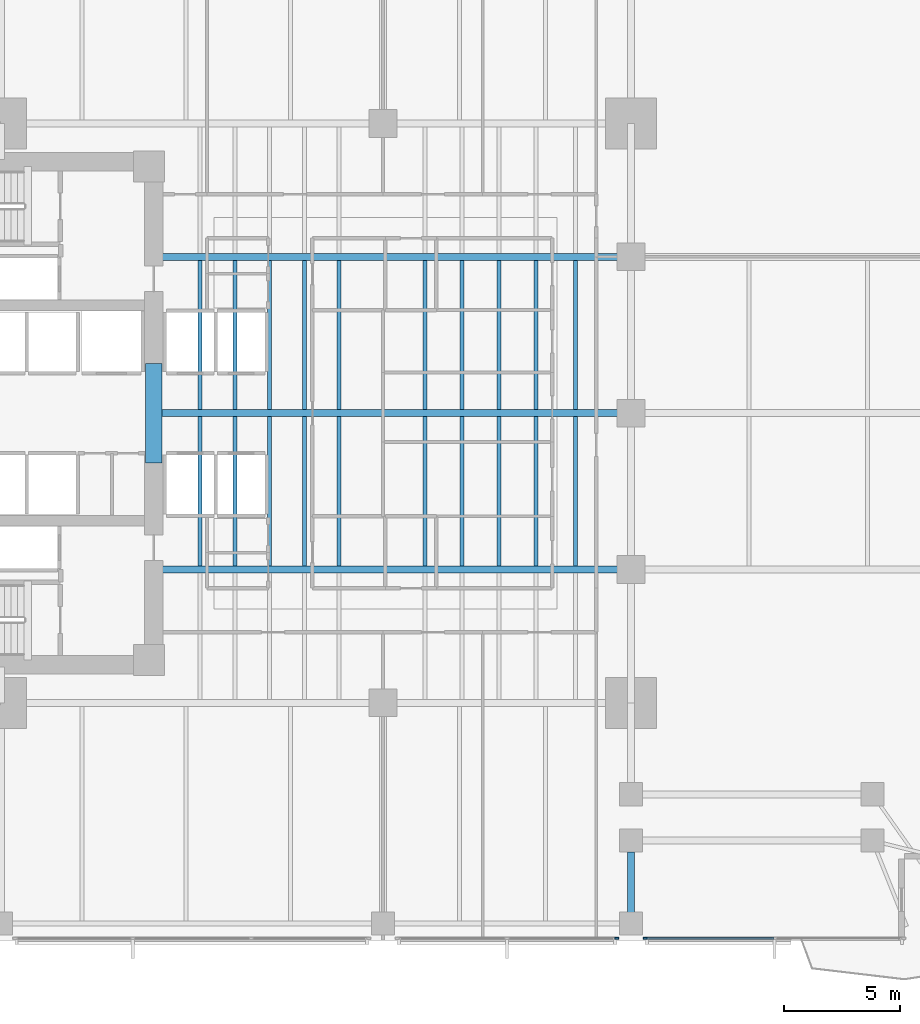
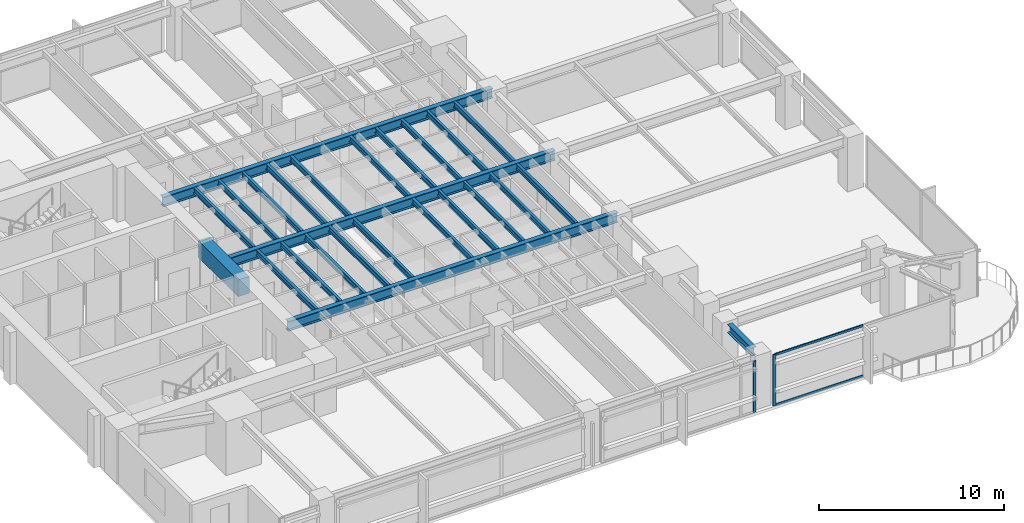
# One storey, part 3 of 15: 25 beams, 4 members, 2 elements without a shape of their own.
"""IFC4 building model written with IfcOpenShell, lengths in metres."""

from ifc_helpers import new_model, si_unit, direction, frame, origin, origin_2d, place, context, subcontext, project, spatial, rectangle, i_section, extrude, material, layer, layer_set, material_profile, profile_set, type_object, element, aggregate, save


model = new_model("IFC4")

# Units and contexts
model_context = context("Model", 3, precision=1e-05, world=origin(), true_north=direction((0.0, 1.0)))
body_context = subcontext(model_context, "Body", "Model", "MODEL_VIEW")
ifc_project = project(units=[si_unit("LENGTHUNIT", "METRE"), si_unit("AREAUNIT", "SQUARE_METRE"), si_unit("VOLUMEUNIT", "CUBIC_METRE"), si_unit("PLANEANGLEUNIT", "RADIAN"), si_unit("MASSUNIT", "GRAM", prefix="KILO")], contexts=[model_context])

# Site, building, storey
site_placement = place(None, origin())
site = spatial("IfcSite", under=ifc_project, at=site_placement, CompositionType="ELEMENT")
building_placement = place(site_placement, origin())
building = spatial("IfcBuilding", under=site, at=building_placement, Name="Kinhvarn Gate Tower", CompositionType="ELEMENT")
storey_placement = place(building_placement, frame((0.0, 0.0, 68.199951171875)))
storey = spatial("IfcBuildingStorey", under=building, at=storey_placement, Name="L17", CompositionType="ELEMENT", Elevation=68.199951171875)

# Beam
ifc_material_1 = material(Name="Concrete C70/85", Category="concrete")
ifc_material_profile_1 = material_profile(ifc_material_1, rectangle(XDim=0.699951171875, YDim=1.10009765625, at=origin_2d()), Name="RC 700x1100")
ifc_profile_set_1 = profile_set([ifc_material_profile_1], Name="Concrete C70/85")
beam_type_1 = type_object("IfcBeamType", Name="BM-CB-1100", PredefinedType="LINTEL", material=ifc_profile_set_1)
beam_1_placement = place(storey_placement, frame((17.60009765625, 23.10009765625, 2.820068359375), z_axis=(0.0, 1.0, 0.0), x_axis=(-1.0, 0.0, 0.0)))
element("IfcBeam", 1, at=beam_1_placement, inside=storey, type_object=beam_type_1, Name="Core East Portal Coupling Beam L17", PredefinedType="LINTEL", context=body_context, shape_type="SweptSolid", body=[
    extrude(rectangle(XDim=0.699951171875, YDim=1.10009765625, at=origin_2d()), origin(), (0.0, 0.0, 1.0), 4.2998046875),
])

# Curtain wall, member
ifc_material_2 = material(Name="Anodised aluminium AW-6063", Category="aluminium")
ifc_layer = layer(ifc_material_2, 0.179931640625)
ifc_layer_set = layer_set([ifc_layer], Name="Anodised aluminium AW-6063")
curtain_wall_type = type_object("IfcCurtainWallType", Name="CW-SYS-2", PredefinedType="NOTDEFINED", material=ifc_layer_set)
curtain_wall_1_placement = place(storey_placement, origin())
curtain_wall_1 = element("IfcCurtainWall", 2, at=curtain_wall_1_placement, inside=storey, type_object=curtain_wall_type, Name="Curtain Wall CW2 (L17)", PredefinedType="NOTDEFINED")
ifc_material_profile_2 = material_profile(ifc_material_2, rectangle(XDim=0.070068359375, YDim=0.179931640625, at=origin_2d()), Name="ALU 70x180")
ifc_profile_set_2 = profile_set([ifc_material_profile_2], Name="Anodised aluminium AW-6063")
member_type_1 = type_object("IfcMemberType", Name="CW-MUL-180", PredefinedType="MULLION", material=ifc_profile_set_2)
member_1_placement = place(storey_placement, frame((37.5849609375, 2.590087890625, 0.0), z_axis=(0.0, 0.0, 1.0), x_axis=(0.0, 1.0, 0.0)))
member_1 = element("IfcMember", 3, at=member_1_placement, type_object=member_type_1, Name="CW2 mullion 3", PredefinedType="MULLION", context=body_context, shape_type="SweptSolid", body=[
    extrude(rectangle(XDim=0.070068359375, YDim=0.179931640625, at=origin_2d()), origin(), (0.0, 0.0, 1.0), 3.3701171875),
])
aggregate(curtain_wall_1, [member_1])

# Curtain wall, members
curtain_wall_2_placement = place(storey_placement, origin())
curtain_wall_2 = element("IfcCurtainWall", 4, at=curtain_wall_2_placement, inside=storey, type_object=curtain_wall_type, Name="Curtain Wall CW2 (L17)", PredefinedType="NOTDEFINED")
member_2_placement = place(storey_placement, frame((38.81494140625, 2.590087890625, 0.0), z_axis=(0.0, 0.0, 1.0), x_axis=(0.0, 1.0, 0.0)))
member_2 = element("IfcMember", 5, at=member_2_placement, type_object=member_type_1, Name="CW2 mullion 1", PredefinedType="MULLION", context=body_context, shape_type="SweptSolid", body=[
    extrude(rectangle(XDim=0.070068359375, YDim=0.179931640625, at=origin_2d()), origin(), (0.0, 0.0, 1.0), 3.3701171875),
])
ifc_material_profile_3 = material_profile(ifc_material_2, rectangle(XDim=0.070068359375, YDim=0.139892578125, at=origin_2d()), Name="ALU 70x140")
ifc_profile_set_3 = profile_set([ifc_material_profile_3], Name="Anodised aluminium AW-6063")
member_type_2 = type_object("IfcMemberType", Name="CW-TRN-140", PredefinedType="USERDEFINED", material=ifc_profile_set_3)
member_3_placement = place(storey_placement, frame((38.85009765625, 2.590087890625, 0.03515625), z_axis=(1.0, 0.0, 0.0), x_axis=(0.0, 1.0, 0.0)))
member_3 = element("IfcMember", 6, at=member_3_placement, type_object=member_type_2, Name="CW2 transom 1.1", ObjectType="TRANSOM", PredefinedType="USERDEFINED", context=body_context, shape_type="SweptSolid", body=[
    extrude(rectangle(XDim=0.070068359375, YDim=0.139892578125, at=origin_2d()), origin(), (0.0, 0.0, 1.0), 5.5048828125),
])
member_4_placement = place(storey_placement, frame((38.85009765625, 2.590087890625, 3.3349609375), z_axis=(1.0, 0.0, 0.0), x_axis=(0.0, 1.0, 0.0)))
member_4 = element("IfcMember", 7, at=member_4_placement, type_object=member_type_2, Name="CW2 transom 1.2", ObjectType="TRANSOM", PredefinedType="USERDEFINED", context=body_context, shape_type="SweptSolid", body=[
    extrude(rectangle(XDim=0.070068359375, YDim=0.139892578125, at=origin_2d()), origin(), (0.0, 0.0, 1.0), 5.5048828125),
])
aggregate(curtain_wall_2, [member_2, member_3, member_4])

# Beams
ifc_material_3 = material(Name="Steel S355", Category="steel")
ifc_material_profile_4 = material_profile(ifc_material_3, i_section(OverallWidth=0.300048828125, OverallDepth=0.550048828125, WebThickness=0.014892578125, FlangeThickness=0.029052734375, at=origin_2d()), Name="HEB 550")
ifc_profile_set_4 = profile_set([ifc_material_profile_4], Name="Steel S355")
beam_type_2 = type_object("IfcBeamType", Name="STL-HEB550", PredefinedType="BEAM", material=ifc_profile_set_4)
beam_2_placement = place(storey_placement, frame((38.199951171875, 3.705078125, 3.094970703125), z_axis=(0.0, 1.0, 0.0), x_axis=(-1.0, 0.0, 0.0)))
element("IfcBeam", 8, at=beam_2_placement, inside=storey, type_object=beam_type_2, Name="Floor Beam PG-15 (L17 MCE-S-A0)", PredefinedType="BEAM", context=body_context, shape_type="SweptSolid", body=[
    extrude(i_section(OverallWidth=0.300048828125, OverallDepth=0.550048828125, WebThickness=0.014892578125, FlangeThickness=0.029052734375, at=origin_2d()), origin(), (0.0, 0.0, 1.0), 2.60986328125),
])
ifc_material_profile_5 = material_profile(ifc_material_3, i_section(OverallWidth=0.300048828125, OverallDepth=0.64990234375, WebThickness=0.01611328125, FlangeThickness=0.031005859375, at=origin_2d()), Name="HEB 650")
ifc_profile_set_5 = profile_set([ifc_material_profile_5], Name="Steel S355")
beam_type_3 = type_object("IfcBeamType", Name="STL-HEB650", PredefinedType="BEAM", material=ifc_profile_set_5)
beam_3_placement = place(storey_placement, frame((17.64990234375, 18.5, 3.045166015625), z_axis=(1.0, 0.0, 0.0), x_axis=(0.0, 1.0, 0.0)))
element("IfcBeam", 9, at=beam_3_placement, inside=storey, type_object=beam_type_3, Name="Floor Beam PG-17 (L17 EW1-Y18)", PredefinedType="BEAM", context=body_context, shape_type="SweptSolid", body=[
    extrude(i_section(OverallWidth=0.300048828125, OverallDepth=0.64990234375, WebThickness=0.01611328125, FlangeThickness=0.031005859375, at=origin_2d()), origin(), (0.0, 0.0, 1.0), 20.550048828125),
])
beam_4_placement = place(storey_placement, frame((17.949951171875, 25.25, 3.045166015625), z_axis=(1.0, 0.0, 0.0), x_axis=(0.0, 1.0, 0.0)))
element("IfcBeam", 10, at=beam_4_placement, inside=storey, type_object=beam_type_3, Name="Floor Beam PG-17 (L17 EW1-Y25)", PredefinedType="BEAM", context=body_context, shape_type="SweptSolid", body=[
    extrude(i_section(OverallWidth=0.300048828125, OverallDepth=0.64990234375, WebThickness=0.01611328125, FlangeThickness=0.031005859375, at=origin_2d()), origin(), (0.0, 0.0, 1.0), 20.25),
])
beam_5_placement = place(storey_placement, frame((17.64990234375, 32.0, 3.045166015625), z_axis=(1.0, 0.0, 0.0), x_axis=(0.0, 1.0, 0.0)))
element("IfcBeam", 11, at=beam_5_placement, inside=storey, type_object=beam_type_3, Name="Floor Beam PG-17 (L17 EW1-Y32)", PredefinedType="BEAM", context=body_context, shape_type="SweptSolid", body=[
    extrude(i_section(OverallWidth=0.300048828125, OverallDepth=0.64990234375, WebThickness=0.01611328125, FlangeThickness=0.031005859375, at=origin_2d()), origin(), (0.0, 0.0, 1.0), 20.550048828125),
])
ifc_material_profile_6 = material_profile(ifc_material_3, i_section(OverallWidth=0.169921875, OverallDepth=0.360107421875, WebThickness=0.008056640625, FlangeThickness=0.0126953125, at=origin_2d()), Name="IPE 360")
ifc_profile_set_6 = profile_set([ifc_material_profile_6], Name="Steel S355")
beam_type_4 = type_object("IfcBeamType", Name="STL-IPE360", PredefinedType="JOIST", material=ifc_profile_set_6)
for number, where, z_axis, x_axis, name in (
    (12, (19.60009765625, 18.64990234375, 3.18994140625), (0.0, 1.0, 0.0), (-1.0, 0.0, 0.0), "Floor Joist SB-04 (L17 JC-X196-1)"),
    (13, (19.60009765625, 25.39990234375, 3.18994140625), (0.0, 1.0, 0.0), (-1.0, 0.0, 0.0), "Floor Joist SB-04 (L17 JC-X196-2)"),
    (14, (21.10009765625, 18.64990234375, 3.18994140625), (0.0, 1.0, 0.0), (-1.0, 0.0, 0.0), "Floor Joist SB-04 (L17 JC-X211-1)"),
    (15, (21.10009765625, 25.39990234375, 3.18994140625), (0.0, 1.0, 0.0), (-1.0, 0.0, 0.0), "Floor Joist SB-04 (L17 JC-X211-2)"),
    (16, (22.60009765625, 18.64990234375, 3.18994140625), (0.0, 1.0, 0.0), (-1.0, 0.0, 0.0), "Floor Joist SB-04 (L17 JC-X226-1)"),
    (17, (22.60009765625, 25.39990234375, 3.18994140625), (0.0, 1.0, 0.0), (-1.0, 0.0, 0.0), "Floor Joist SB-04 (L17 JC-X226-2)"),
    (18, (24.10009765625, 18.64990234375, 3.18994140625), (0.0, 1.0, 0.0), (-1.0, 0.0, 0.0), "Floor Joist SB-04 (L17 JC-X241-1)"),
    (19, (24.10009765625, 25.39990234375, 3.18994140625), (0.0, 1.0, 0.0), (-1.0, 0.0, 0.0), "Floor Joist SB-04 (L17 JC-X241-2)"),
    (20, (25.60009765625, 18.64990234375, 3.18994140625), (0.0, 1.0, 0.0), (-1.0, 0.0, 0.0), "Floor Joist SB-04 (L17 JC-X256-1)"),
    (21, (25.60009765625, 25.39990234375, 3.18994140625), (0.0, 1.0, 0.0), (-1.0, 0.0, 0.0), "Floor Joist SB-04 (L17 JC-X256-2)"),
    (22, (29.300048828125, 18.64990234375, 3.18994140625), (0.0, 1.0, 0.0), (-1.0, 0.0, 0.0), "Floor Joist SB-04 (L17 JC-X293-1)"),
    (23, (29.300048828125, 25.39990234375, 3.18994140625), (0.0, 1.0, 0.0), (-1.0, 0.0, 0.0), "Floor Joist SB-04 (L17 JC-X293-2)"),
    (24, (30.89990234375, 18.64990234375, 3.18994140625), (0.0, 1.0, 0.0), (-1.0, 0.0, 0.0), "Floor Joist SB-04 (L17 JC-X309-1)"),
    (25, (30.89990234375, 25.39990234375, 3.18994140625), (0.0, 1.0, 0.0), (-1.0, 0.0, 0.0), "Floor Joist SB-04 (L17 JC-X309-2)"),
    (26, (32.5, 18.64990234375, 3.18994140625), (0.0, 1.0, 0.0), (-1.0, 0.0, 0.0), "Floor Joist SB-04 (L17 JC-X325-1)"),
    (27, (32.5, 25.39990234375, 3.18994140625), (0.0, 1.0, 0.0), (-1.0, 0.0, 0.0), "Floor Joist SB-04 (L17 JC-X325-2)"),
    (28, (34.10009765625, 18.64990234375, 3.18994140625), (0.0, 1.0, 0.0), (-1.0, 0.0, 0.0), "Floor Joist SB-04 (L17 JC-X341-1)"),
    (29, (34.10009765625, 25.39990234375, 3.18994140625), (0.0, 1.0, 0.0), (-1.0, 0.0, 0.0), "Floor Joist SB-04 (L17 JC-X341-2)"),
    (30, (35.800048828125, 18.64990234375, 3.18994140625), (0.0, 1.0, 0.0), (-1.0, 0.0, 0.0), "Floor Joist SB-04 (L17 JC-X358-1)"),
    (31, (35.800048828125, 25.39990234375, 3.18994140625), (0.0, 1.0, 0.0), (-1.0, 0.0, 0.0), "Floor Joist SB-04 (L17 JC-X358-2)"),
):
    element("IfcBeam", number, at=place(storey_placement, frame(where, z_axis=z_axis, x_axis=x_axis)), inside=storey, type_object=beam_type_4, Name=name, PredefinedType="JOIST", context=body_context, shape_type="SweptSolid", body=[
        extrude(i_section(OverallWidth=0.169921875, OverallDepth=0.360107421875, WebThickness=0.008056640625, FlangeThickness=0.0126953125, at=origin_2d()), origin(), (0.0, 0.0, 1.0), 6.4501953125),
    ])

save(model, "model.ifc")
